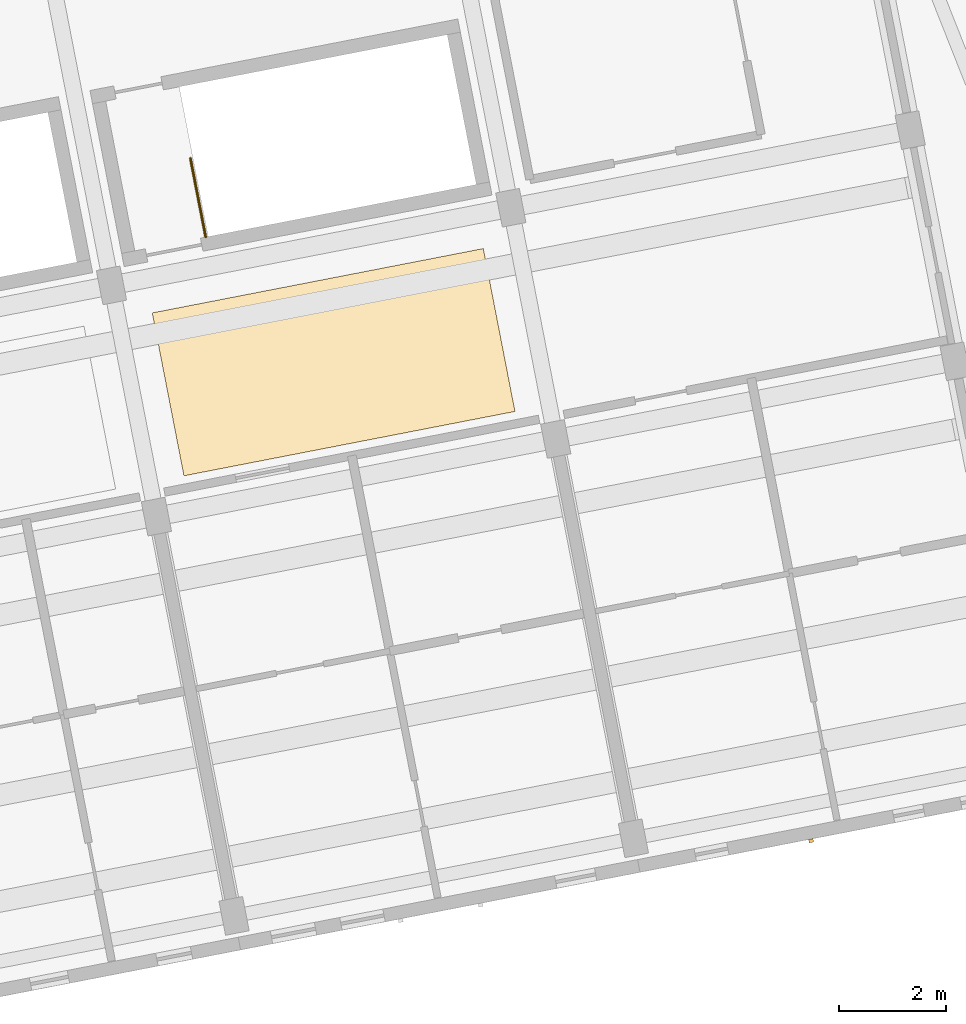
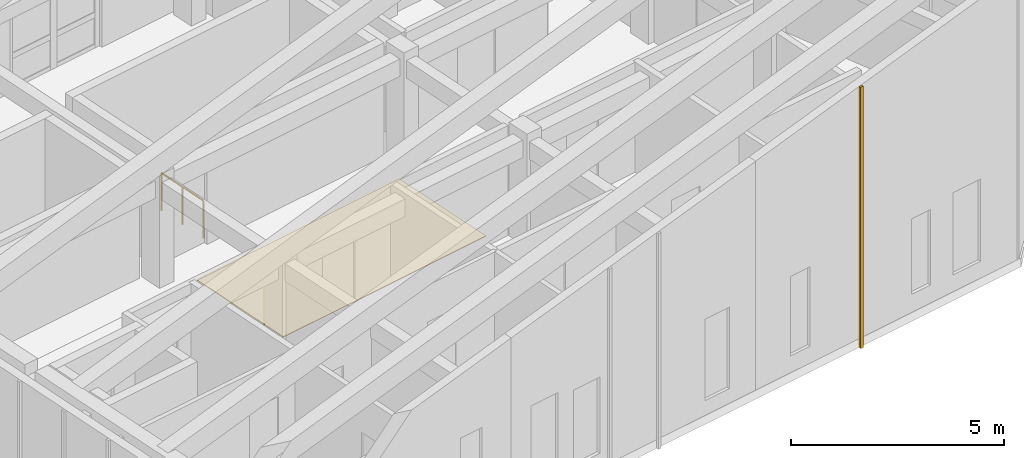
# One storey, part 50 of 56: 2 coverings, 1 railing.
"""IFC4 building model written with IfcOpenShell, lengths in metres."""

from ifc_helpers import new_model, si_unit, direction, frame, origin, origin_2d, place, context, subcontext, project, spatial, polyline, rectangle, circle, outline, extrude, material, layer, layer_set, type_object, element, save


model = new_model("IFC4")

# Units and contexts
model_context = context("Model", 3, precision=1e-05, world=origin(), true_north=direction((0.0, 1.0)))
body_context = subcontext(model_context, "Body", "Model", "MODEL_VIEW")
ifc_project = project(units=[si_unit("LENGTHUNIT", "METRE"), si_unit("AREAUNIT", "SQUARE_METRE"), si_unit("VOLUMEUNIT", "CUBIC_METRE"), si_unit("PLANEANGLEUNIT", "RADIAN"), si_unit("MASSUNIT", "GRAM", prefix="KILO")], contexts=[model_context])

# Site, building, storey
site_placement = place(None, origin())
site = spatial("IfcSite", under=ifc_project, at=site_placement, CompositionType="ELEMENT")
building_placement = place(site_placement, origin())
building = spatial("IfcBuilding", under=site, at=building_placement, Name="Kestramere Prow Commons", CompositionType="ELEMENT")
storey_placement = place(building_placement, frame((0.0, 0.0, 27.89990234375)))
storey = spatial("IfcBuildingStorey", under=building, at=storey_placement, Name="L08", CompositionType="ELEMENT", Elevation=27.89990234375)

# Coverings
ifc_material_1 = material(Name="Weathered Zinc-Titanium Standing-Seam Cladding")
ifc_layer_1 = layer(ifc_material_1, 0.074951171875)
ifc_layer_set_1 = layer_set([ifc_layer_1], Name="Weathered Zinc-Titanium Standing-Seam Cladding")
covering_type_1 = type_object("IfcCoveringType", Name="COV-CLAD-SEAM", PredefinedType="CLADDING", material=ifc_layer_set_1)
covering_1_placement = place(storey_placement, frame((159.021484375, 41.205810546875, -0.25), z_axis=(0.0, 0.0, 1.0), x_axis=(-0.981627183448, -0.190808995377, 0.0)))
element("IfcCovering", 1, at=covering_1_placement, inside=storey, type_object=covering_type_1, Name="EW-D-L08-S-5 Standing-Seam Rib 3", PredefinedType="CLADDING", context=body_context, shape_type="SweptSolid", body=[
    extrude(rectangle(XDim=0.0849609375, YDim=0.06494140625, at=origin_2d()), origin(), (0.0, 0.0, 1.0), 7.482177734375),
])
ifc_material_2 = material(Name="Honed Cementitious Terrazzo Tile")
ifc_layer_2 = layer(ifc_material_2, 0.02001953125)
ifc_layer_set_2 = layer_set([ifc_layer_2], Name="Honed Cementitious Terrazzo Tile")
covering_type_2 = type_object("IfcCoveringType", Name="COV-FLOOR-TERRAZZO", PredefinedType="FLOORING", material=ifc_layer_set_2)
covering_2_placement = place(storey_placement, origin())
element("IfcCovering", 2, at=covering_2_placement, inside=storey, type_object=covering_type_2, Name="Block D L08 Corridor Terrazzo Flooring 5", PredefinedType="FLOORING", context=body_context, shape_type="SweptSolid", body=[
    extrude(outline(polyline([(147.305419921875, 48.02294921875), (153.489501953125, 49.22509765625), (152.898193359375, 52.26806640625), (146.7138671875, 51.066162109375), (147.305419921875, 48.02294921875)])), origin(), (0.0, 0.0, 1.0), 0.02001953125),
])

# Railing
ifc_material_3 = material(Name="Galvanised Steel S275JR", Category="steel")
railing_type = type_object("IfcRailingType", Name="RL-ST-GR-1100", PredefinedType="GUARDRAIL", material=ifc_material_3)
railing_placement = place(storey_placement, frame((147.7119140625, 52.482666015625, 0.0)))
element("IfcRailing", 3, at=railing_placement, inside=storey, type_object=railing_type, Name="L08 ST-D2 top well guard 1", PredefinedType="GUARDRAIL", context=body_context, shape_type="SweptSolid", body=[
    extrude(circle(Radius=0.02392578125, at=origin_2d()), frame((0.0, 0.0, 1.076171875), z_axis=(-0.190760744451, 0.981636561247, 0.0), x_axis=(-0.981636561247, -0.190760744451, 0.0)), (0.0, 0.0, 1.0), 1.5),
    extrude(circle(Radius=0.02099609375, at=origin_2d()), origin(), (0.0, 0.0, 1.0), 1.052001953125),
    extrude(circle(Radius=0.02099609375, at=origin_2d()), frame((-0.14306640625, 0.736328125, 0.0)), (0.0, 0.0, 1.0), 1.052001953125),
    extrude(circle(Radius=0.02099609375, at=origin_2d()), frame((-0.2861328125, 1.472412109375, 0.0)), (0.0, 0.0, 1.0), 1.052001953125),
])

save(model, "model.ifc")
